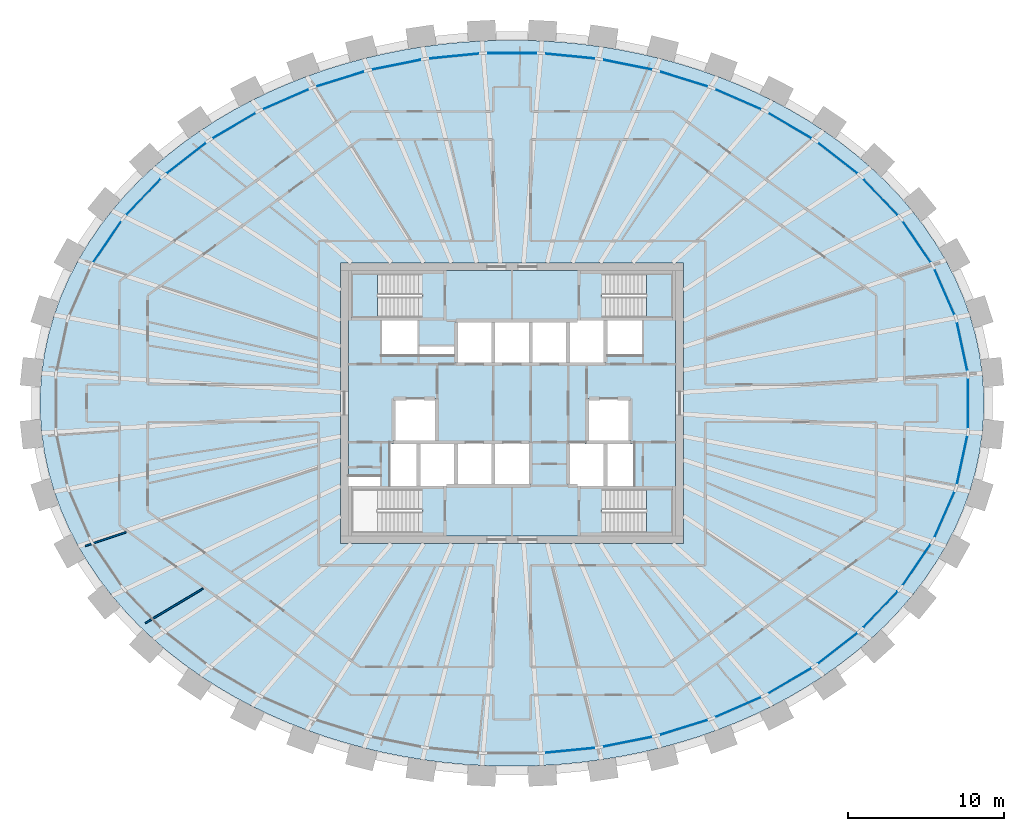
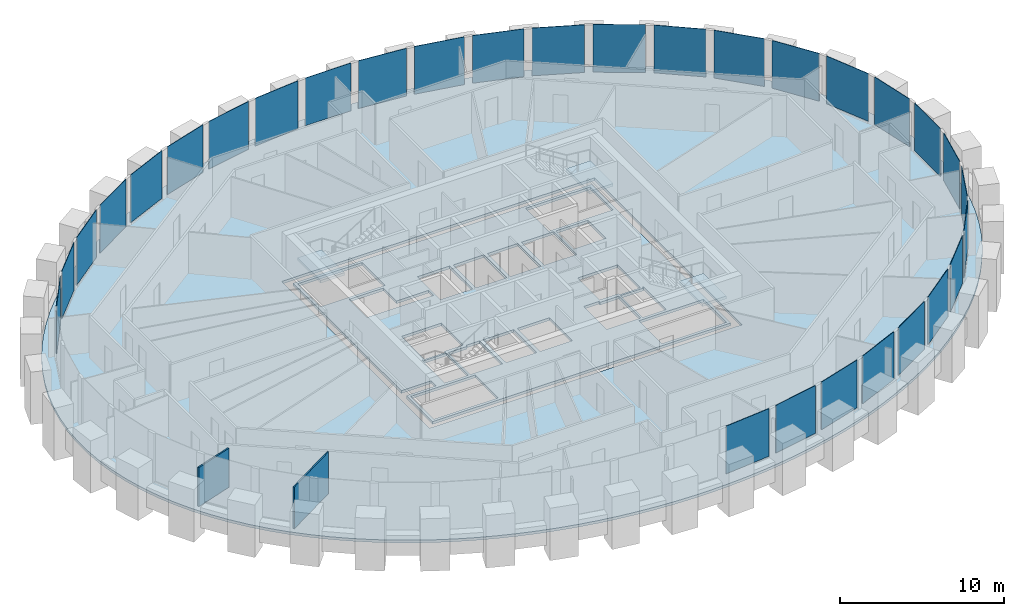
# One storey, part 5 of 12: 30 plates, 5 slabs, 2 walls, 4 elements without a shape of their own.
"""IFC4 building model written with IfcOpenShell, lengths in metres."""

from ifc_helpers import new_model, si_unit, direction, frame, frame_2d, origin, origin_2d, place, context, subcontext, project, spatial, polyline, rectangle, outline, extrude, source, transform, mapped, material, layer, layer_set, type_object, element, aggregate, save


model = new_model("IFC4")

# Units and contexts
model_context = context("Model", 3, precision=1e-05, world=origin(), true_north=direction((0.0, 1.0)))
body_context = subcontext(model_context, "Body", "Model", "MODEL_VIEW")
ifc_project = project(units=[si_unit("LENGTHUNIT", "METRE"), si_unit("AREAUNIT", "SQUARE_METRE"), si_unit("VOLUMEUNIT", "CUBIC_METRE"), si_unit("PLANEANGLEUNIT", "RADIAN"), si_unit("MASSUNIT", "GRAM", prefix="KILO")], contexts=[model_context])

# Site, building, storey
site_placement = place(None, origin())
site = spatial("IfcSite", under=ifc_project, at=site_placement, CompositionType="ELEMENT")
building_placement = place(site_placement, origin())
building = spatial("IfcBuilding", under=site, at=building_placement, Name="Embergate Tower", CompositionType="ELEMENT")
storey_placement = place(building_placement, frame((0.0, 0.0, 301.300048828125)))
storey = spatial("IfcBuildingStorey", under=building, at=storey_placement, Name="L70", CompositionType="ELEMENT", Elevation=301.300048828125)

# Slab
ifc_material_1 = material(Name="Concrete C40", Category="concrete")
ifc_layer_1 = layer(ifc_material_1, 0.199951171875)
ifc_layer_set_1 = layer_set([ifc_layer_1], Name="Concrete C40")
slab_type_1 = type_object("IfcSlabType", Name="Composite floor slab C40 200", PredefinedType="FLOOR", material=ifc_layer_set_1)
shared_shape_1 = source(origin(), body_context, "Body", "SweptSolid", [
    extrude(outline(polyline([(0.0, 0.0), (1.27978515625, 0.0), (2.558837890625, 0.0419921875), (3.8388671875, 0.125), (5.11279296875, 0.2509765625), (6.3779296875, 0.4169921875), (7.64599609375, 0.626953125), (8.90087890625, 0.87890625), (10.140869140625, 1.171875), (11.3837890625, 1.510986328125), (12.60595703125, 1.891845703125), (13.804931640625, 2.31298828125), (15.0068359375, 2.784912109375), (16.178955078125, 3.2978515625), (17.32080078125, 3.850830078125), (18.4619140625, 4.4599609375), (19.56494140625, 5.10791015625), (20.62890625, 5.794921875), (21.684814453125, 6.544921875), (22.69384765625, 7.331787109375), (23.65283203125, 8.15576171875), (24.593994140625, 9.046875), (25.477783203125, 9.972900390625), (26.2998046875, 10.931884765625), (27.0888671875, 11.9599609375), (27.807861328125, 13.017822265625), (28.455810546875, 14.101806640625), (29.0498046875, 15.2509765625), (29.56396484375, 16.4228515625), (29.995849609375, 17.61279296875), (30.352783203125, 18.849853515625), (30.621826171875, 20.099853515625), (30.802001953125, 21.35986328125), (30.893798828125, 22.636962890625), (30.893798828125, 23.914794921875), (30.802001953125, 25.19189453125), (30.621826171875, 26.451904296875), (30.352783203125, 27.701904296875), (29.995849609375, 28.93896484375), (29.56396484375, 30.12890625), (29.0498046875, 31.30078125), (28.455810546875, 32.449951171875), (27.807861328125, 33.533935546875), (27.0888671875, 34.591796875), (26.2998046875, 35.619873046875), (25.477783203125, 36.578857421875), (24.593994140625, 37.5048828125), (23.65283203125, 38.39599609375), (22.69384765625, 39.219970703125), (21.684814453125, 40.0068359375), (20.62890625, 40.7568359375), (19.56494140625, 41.44384765625), (18.4619140625, 42.091796875), (17.32080078125, 42.700927734375), (16.178955078125, 43.25390625), (15.0068359375, 43.766845703125), (13.804931640625, 44.23876953125), (12.60595703125, 44.659912109375), (11.3837890625, 45.040771484375), (10.140869140625, 45.3798828125), (8.90087890625, 45.6728515625), (7.64599609375, 45.9248046875), (6.3779296875, 46.134765625), (5.11279296875, 46.30078125), (3.8388671875, 46.4267578125), (2.558837890625, 46.509765625), (1.27978515625, 46.5517578125), (0.0, 46.5517578125), (-1.279052734375, 46.509765625), (-2.55908203125, 46.4267578125), (-3.8330078125, 46.30078125), (-5.09814453125, 46.134765625), (-6.3662109375, 45.9248046875), (-7.62109375, 45.6728515625), (-8.861083984375, 45.3798828125), (-10.10400390625, 45.040771484375), (-11.326171875, 44.659912109375), (-12.525146484375, 44.23876953125), (-13.72705078125, 43.766845703125), (-14.899169921875, 43.25390625), (-16.041015625, 42.700927734375), (-17.18212890625, 42.091796875), (-18.28515625, 41.44384765625), (-19.34912109375, 40.7568359375), (-20.405029296875, 40.0068359375), (-21.4140625, 39.219970703125), (-22.373046875, 38.39599609375), (-23.314208984375, 37.5048828125), (-24.197998046875, 36.578857421875), (-25.02001953125, 35.619873046875), (-25.80908203125, 34.591796875), (-26.528076171875, 33.533935546875), (-27.176025390625, 32.449951171875), (-27.77001953125, 31.30078125), (-28.2841796875, 30.12890625), (-28.716064453125, 28.93896484375), (-29.072998046875, 27.701904296875), (-29.342041015625, 26.451904296875), (-29.522216796875, 25.19189453125), (-29.614013671875, 23.914794921875), (-29.614013671875, 22.636962890625), (-29.522216796875, 21.35986328125), (-29.342041015625, 20.099853515625), (-29.072998046875, 18.849853515625), (-28.716064453125, 17.61279296875), (-28.2841796875, 16.4228515625), (-27.77001953125, 15.2509765625), (-27.176025390625, 14.101806640625), (-26.528076171875, 13.017822265625), (-25.80908203125, 11.9599609375), (-25.02001953125, 10.931884765625), (-24.197998046875, 9.972900390625), (-23.314208984375, 9.046875), (-22.373046875, 8.15576171875), (-21.4140625, 7.331787109375), (-20.405029296875, 6.544921875), (-19.34912109375, 5.794921875), (-18.28515625, 5.10791015625), (-17.18212890625, 4.4599609375), (-16.041015625, 3.850830078125), (-14.899169921875, 3.2978515625), (-13.72705078125, 2.784912109375), (-12.525146484375, 2.31298828125), (-11.326171875, 1.891845703125), (-10.10400390625, 1.510986328125), (-8.861083984375, 1.171875), (-7.62109375, 0.87890625), (-6.3662109375, 0.626953125), (-5.09814453125, 0.4169921875), (-3.8330078125, 0.2509765625), (-2.55908203125, 0.125), (-1.279052734375, 0.0419921875), (0.0, 0.0)]), holes=[polyline([(-10.360107421875, 14.27587890625), (-10.360107421875, 32.27587890625), (11.639892578125, 32.27587890625), (11.639892578125, 14.27587890625), (-10.360107421875, 14.27587890625)])]), origin(), (0.0, 0.0, 1.0), 0.199951171875),
])
slab_1_placement = place(storey_placement, frame((-0.639892578125, -23.27587890625, -0.199951171875)))
element("IfcSlab", 1, at=slab_1_placement, inside=storey, type_object=slab_type_1, Name="SLB-L70-00", PredefinedType="FLOOR", context=body_context, shape_type="MappedRepresentation", body=[
    mapped(shared_shape_1, transform((0.0, 0.0, 0.0))),
])

# Curtain wall, plates
ifc_material_2 = material(Name="Aluminium and glass", Category="aluminium")
curtain_wall_type = type_object("IfcCurtainWallType", Name="Recessed office glazing", PredefinedType="NOTDEFINED", material=ifc_material_2)
curtain_wall_placement = place(storey_placement, origin())
curtain_wall = element("IfcCurtainWall", 2, at=curtain_wall_placement, inside=storey, type_object=curtain_wall_type, Name="Recessed office glazing ring", ObjectType="RECESSED OFFICE GLAZING", PredefinedType="USERDEFINED")
ifc_material_3 = material(Name="Triple glazing, low-emissivity coating", Category="glass")
ifc_layer_2 = layer(ifc_material_3, 0.035888671875)
ifc_layer_set_2 = layer_set([ifc_layer_2], Name="Triple glazing, low-emissivity coating")
plate_type = type_object("IfcPlateType", Name="Office glazing unit", PredefinedType="CURTAIN_PANEL", material=ifc_layer_set_2)
shared_shape_2 = source(origin(), body_context, "Body", "SweptSolid", [
    extrude(rectangle(XDim=3.1650390625, YDim=0.035888671875, at=origin_2d()), origin(), (0.0, 0.0, 1.0), 3.550048828125),
])
plate_1_placement = place(storey_placement, frame((28.86474609375, 3.642578125, 0.14990234375), z_axis=(0.0, 0.0, 1.0), x_axis=(-0.210398391177, 0.97761573074, 0.0)))
plate_1 = element("IfcPlate", 3, at=plate_1_placement, type_object=plate_type, Name="CW panel 1.1", PredefinedType="CURTAIN_PANEL", context=body_context, shape_type="MappedRepresentation", body=[
    mapped(shared_shape_2, transform((0.0, 0.0, 0.0))),
])
plate_2_placement = place(storey_placement, frame((28.86474609375, -3.642578125, 0.14990234375), z_axis=(0.0, 0.0, 1.0), x_axis=(0.210398391177, 0.97761573074, 0.0)))
plate_2 = element("IfcPlate", 4, at=plate_2_placement, type_object=plate_type, Name="CW panel 43.1", PredefinedType="CURTAIN_PANEL", context=body_context, shape_type="MappedRepresentation", body=[
    mapped(shared_shape_2, transform((0.0, 0.0, 0.0))),
])
shared_shape_3 = source(origin(), body_context, "Body", "SweptSolid", [
    extrude(rectangle(XDim=3.171875, YDim=0.035888671875, at=origin_2d()), origin(), (0.0, 0.0, 1.0), 3.550048828125),
])
plate_3_placement = place(storey_placement, frame((27.735595703125, 7.134521484375, 0.14990234375), z_axis=(0.0, 0.0, 1.0), x_axis=(-0.401652101157, 0.91579232888, 0.0)))
plate_3 = element("IfcPlate", 5, at=plate_3_placement, type_object=plate_type, Name="CW panel 2.1", PredefinedType="CURTAIN_PANEL", context=body_context, shape_type="MappedRepresentation", body=[
    mapped(shared_shape_3, transform((0.0, 0.0, 0.0))),
])
plate_4_placement = place(storey_placement, frame((27.735595703125, -7.134521484375, 0.14990234375), z_axis=(0.0, 0.0, 1.0), x_axis=(0.401652101157, 0.91579232888, 0.0)))
plate_4 = element("IfcPlate", 6, at=plate_4_placement, type_object=plate_type, Name="CW panel 42.1", PredefinedType="CURTAIN_PANEL", context=body_context, shape_type="MappedRepresentation", body=[
    mapped(shared_shape_3, transform((0.0, 0.0, 0.0))),
])
shared_shape_4 = source(origin(), body_context, "Body", "SweptSolid", [
    extrude(rectangle(XDim=3.180419921875, YDim=0.035888671875, at=origin_2d()), origin(), (0.0, 0.0, 1.0), 3.550048828125),
])
plate_5_placement = place(storey_placement, frame((25.95361328125, 10.354736328125, 0.14990234375), z_axis=(0.0, 0.0, 1.0), x_axis=(-0.562341741915, 0.826904931234, 0.0)))
plate_5 = element("IfcPlate", 7, at=plate_5_placement, type_object=plate_type, Name="CW panel 3.1", PredefinedType="CURTAIN_PANEL", context=body_context, shape_type="MappedRepresentation", body=[
    mapped(shared_shape_4, transform((0.0, 0.0, 0.0))),
])
plate_6_placement = place(storey_placement, frame((-25.95361328125, 10.354736328125, 0.14990234375), z_axis=(0.0, 0.0, 1.0), x_axis=(-0.562341741915, -0.826904931234, 0.0)))
plate_6 = element("IfcPlate", 8, at=plate_6_placement, type_object=plate_type, Name="CW panel 19.1", PredefinedType="CURTAIN_PANEL", context=body_context, shape_type="MappedRepresentation", body=[
    mapped(shared_shape_4, transform((0.0, 0.0, 0.0))),
])
plate_7_placement = place(storey_placement, frame((25.95361328125, -10.354736328125, 0.14990234375), z_axis=(0.0, 0.0, 1.0), x_axis=(0.562341741915, 0.826904931234, 0.0)))
plate_7 = element("IfcPlate", 9, at=plate_7_placement, type_object=plate_type, Name="CW panel 41.1", PredefinedType="CURTAIN_PANEL", context=body_context, shape_type="MappedRepresentation", body=[
    mapped(shared_shape_4, transform((0.0, 0.0, 0.0))),
])
shared_shape_5 = source(origin(), body_context, "Body", "SweptSolid", [
    extrude(rectangle(XDim=3.188720703125, YDim=0.035888671875, at=origin_2d()), origin(), (0.0, 0.0, 1.0), 3.550048828125),
])
plate_8_placement = place(storey_placement, frame((23.633544921875, 13.226806640625, 0.14990234375), z_axis=(0.0, 0.0, 1.0), x_axis=(-0.6901325214, 0.723683012724, 0.0)))
plate_8 = element("IfcPlate", 10, at=plate_8_placement, type_object=plate_type, Name="CW panel 4.1", PredefinedType="CURTAIN_PANEL", context=body_context, shape_type="MappedRepresentation", body=[
    mapped(shared_shape_5, transform((0.0, 0.0, 0.0))),
])
plate_9_placement = place(storey_placement, frame((-23.633544921875, 13.226806640625, 0.14990234375), z_axis=(0.0, 0.0, 1.0), x_axis=(-0.6901325214, -0.723683012724, 0.0)))
plate_9 = element("IfcPlate", 11, at=plate_9_placement, type_object=plate_type, Name="CW panel 18.1", PredefinedType="CURTAIN_PANEL", context=body_context, shape_type="MappedRepresentation", body=[
    mapped(shared_shape_5, transform((0.0, 0.0, 0.0))),
])
plate_10_placement = place(storey_placement, frame((23.633544921875, -13.226806640625, 0.14990234375), z_axis=(0.0, 0.0, 1.0), x_axis=(0.6901325214, 0.723683012724, 0.0)))
plate_10 = element("IfcPlate", 12, at=plate_10_placement, type_object=plate_type, Name="CW panel 40.1", PredefinedType="CURTAIN_PANEL", context=body_context, shape_type="MappedRepresentation", body=[
    mapped(shared_shape_5, transform((0.0, 0.0, 0.0))),
])
shared_shape_6 = source(origin(), body_context, "Body", "SweptSolid", [
    extrude(rectangle(XDim=3.196044921875, YDim=0.035888671875, at=origin_2d()), origin(), (0.0, 0.0, 1.0), 3.550048828125),
])
plate_11_placement = place(storey_placement, frame((20.888916015625, 15.7119140625, 0.14990234375), z_axis=(0.0, 0.0, 1.0), x_axis=(-0.788317971569, 0.615268051911, 0.0)))
plate_11 = element("IfcPlate", 13, at=plate_11_placement, type_object=plate_type, Name="CW panel 5.1", PredefinedType="CURTAIN_PANEL", context=body_context, shape_type="MappedRepresentation", body=[
    mapped(shared_shape_6, transform((0.0, 0.0, 0.0))),
])
plate_12_placement = place(storey_placement, frame((-20.888916015625, 15.7119140625, 0.14990234375), z_axis=(0.0, 0.0, 1.0), x_axis=(-0.788317971569, -0.615268051911, 0.0)))
plate_12 = element("IfcPlate", 14, at=plate_12_placement, type_object=plate_type, Name="CW panel 17.1", PredefinedType="CURTAIN_PANEL", context=body_context, shape_type="MappedRepresentation", body=[
    mapped(shared_shape_6, transform((0.0, 0.0, 0.0))),
])
plate_13_placement = place(storey_placement, frame((20.888916015625, -15.7119140625, 0.14990234375), z_axis=(0.0, 0.0, 1.0), x_axis=(0.788317971569, 0.615268051911, 0.0)))
plate_13 = element("IfcPlate", 15, at=plate_13_placement, type_object=plate_type, Name="CW panel 39.1", PredefinedType="CURTAIN_PANEL", context=body_context, shape_type="MappedRepresentation", body=[
    mapped(shared_shape_6, transform((0.0, 0.0, 0.0))),
])
shared_shape_7 = source(origin(), body_context, "Body", "SweptSolid", [
    extrude(rectangle(XDim=3.201904296875, YDim=0.035888671875, at=origin_2d()), origin(), (0.0, 0.0, 1.0), 3.550048828125),
])
plate_14_placement = place(storey_placement, frame((17.820068359375, 17.79833984375, 0.14990234375), z_axis=(0.0, 0.0, 1.0), x_axis=(-0.862050514108, 0.506822366443, 0.0)))
plate_14 = element("IfcPlate", 16, at=plate_14_placement, type_object=plate_type, Name="CW panel 6.1", PredefinedType="CURTAIN_PANEL", context=body_context, shape_type="MappedRepresentation", body=[
    mapped(shared_shape_7, transform((0.0, 0.0, 0.0))),
])
plate_15_placement = place(storey_placement, frame((-17.820068359375, 17.79833984375, 0.14990234375), z_axis=(0.0, 0.0, 1.0), x_axis=(-0.862050514108, -0.506822366443, 0.0)))
plate_15 = element("IfcPlate", 17, at=plate_15_placement, type_object=plate_type, Name="CW panel 16.1", PredefinedType="CURTAIN_PANEL", context=body_context, shape_type="MappedRepresentation", body=[
    mapped(shared_shape_7, transform((0.0, 0.0, 0.0))),
])
plate_16_placement = place(storey_placement, frame((17.820068359375, -17.79833984375, 0.14990234375), z_axis=(0.0, 0.0, 1.0), x_axis=(0.862050514108, 0.506822366443, 0.0)))
plate_16 = element("IfcPlate", 18, at=plate_16_placement, type_object=plate_type, Name="CW panel 38.1", PredefinedType="CURTAIN_PANEL", context=body_context, shape_type="MappedRepresentation", body=[
    mapped(shared_shape_7, transform((0.0, 0.0, 0.0))),
])
shared_shape_8 = source(origin(), body_context, "Body", "SweptSolid", [
    extrude(rectangle(XDim=3.206298828125, YDim=0.035888671875, at=origin_2d()), origin(), (0.0, 0.0, 1.0), 3.550048828125),
])
plate_17_placement = place(storey_placement, frame((14.508544921875, 19.488037109375, 0.14990234375), z_axis=(0.0, 0.0, 1.0), x_axis=(-0.91623411399, 0.400643293168, 0.0)))
plate_17 = element("IfcPlate", 19, at=plate_17_placement, type_object=plate_type, Name="CW panel 7.1", PredefinedType="CURTAIN_PANEL", context=body_context, shape_type="MappedRepresentation", body=[
    mapped(shared_shape_8, transform((0.0, 0.0, 0.0))),
])
plate_18_placement = place(storey_placement, frame((-14.508544921875, 19.488037109375, 0.14990234375), z_axis=(0.0, 0.0, 1.0), x_axis=(-0.91623411399, -0.400643293168, 0.0)))
plate_18 = element("IfcPlate", 20, at=plate_18_placement, type_object=plate_type, Name="CW panel 15.1", PredefinedType="CURTAIN_PANEL", context=body_context, shape_type="MappedRepresentation", body=[
    mapped(shared_shape_8, transform((0.0, 0.0, 0.0))),
])
plate_19_placement = place(storey_placement, frame((14.508544921875, -19.488037109375, 0.14990234375), z_axis=(0.0, 0.0, 1.0), x_axis=(0.91623411399, 0.400643293168, 0.0)))
plate_19 = element("IfcPlate", 21, at=plate_19_placement, type_object=plate_type, Name="CW panel 37.1", PredefinedType="CURTAIN_PANEL", context=body_context, shape_type="MappedRepresentation", body=[
    mapped(shared_shape_8, transform((0.0, 0.0, 0.0))),
])
shared_shape_9 = source(origin(), body_context, "Body", "SweptSolid", [
    extrude(rectangle(XDim=3.209716796875, YDim=0.035888671875, at=origin_2d()), origin(), (0.0, 0.0, 1.0), 3.550048828125),
])
plate_20_placement = place(storey_placement, frame((11.02099609375, 20.788818359375, 0.14990234375), z_axis=(0.0, 0.0, 1.0), x_axis=(-0.954771179262, 0.297341546458, 0.0)))
plate_20 = element("IfcPlate", 22, at=plate_20_placement, type_object=plate_type, Name="CW panel 8.1", PredefinedType="CURTAIN_PANEL", context=body_context, shape_type="MappedRepresentation", body=[
    mapped(shared_shape_9, transform((0.0, 0.0, 0.0))),
])
plate_21_placement = place(storey_placement, frame((-11.02099609375, 20.788818359375, 0.14990234375), z_axis=(0.0, 0.0, 1.0), x_axis=(-0.954771179262, -0.297341546458, 0.0)))
plate_21 = element("IfcPlate", 23, at=plate_21_placement, type_object=plate_type, Name="CW panel 14.1", PredefinedType="CURTAIN_PANEL", context=body_context, shape_type="MappedRepresentation", body=[
    mapped(shared_shape_9, transform((0.0, 0.0, 0.0))),
])
plate_22_placement = place(storey_placement, frame((11.02099609375, -20.788818359375, 0.14990234375), z_axis=(0.0, 0.0, 1.0), x_axis=(0.954771179262, 0.297341546458, 0.0)))
plate_22 = element("IfcPlate", 24, at=plate_22_placement, type_object=plate_type, Name="CW panel 36.1", PredefinedType="CURTAIN_PANEL", context=body_context, shape_type="MappedRepresentation", body=[
    mapped(shared_shape_9, transform((0.0, 0.0, 0.0))),
])
shared_shape_10 = source(origin(), body_context, "Body", "SweptSolid", [
    extrude(rectangle(XDim=3.211669921875, YDim=0.035888671875, at=origin_2d()), origin(), (0.0, 0.0, 1.0), 3.550048828125),
])
plate_23_placement = place(storey_placement, frame((7.4111328125, 21.710205078125, 0.14990234375), z_axis=(0.0, 0.0, 1.0), x_axis=(-0.980475221003, 0.196642673395, 0.0)))
plate_23 = element("IfcPlate", 25, at=plate_23_placement, type_object=plate_type, Name="CW panel 9.1", PredefinedType="CURTAIN_PANEL", context=body_context, shape_type="MappedRepresentation", body=[
    mapped(shared_shape_10, transform((0.0, 0.0, 0.0))),
])
plate_24_placement = place(storey_placement, frame((-7.4111328125, 21.710205078125, 0.14990234375), z_axis=(0.0, 0.0, 1.0), x_axis=(-0.980475221003, -0.196642673395, 0.0)))
plate_24 = element("IfcPlate", 26, at=plate_24_placement, type_object=plate_type, Name="CW panel 13.1", PredefinedType="CURTAIN_PANEL", context=body_context, shape_type="MappedRepresentation", body=[
    mapped(shared_shape_10, transform((0.0, 0.0, 0.0))),
])
plate_25_placement = place(storey_placement, frame((7.4111328125, -21.710205078125, 0.14990234375), z_axis=(0.0, 0.0, 1.0), x_axis=(0.980475221003, 0.196642673395, 0.0)))
plate_25 = element("IfcPlate", 27, at=plate_25_placement, type_object=plate_type, Name="CW panel 35.1", PredefinedType="CURTAIN_PANEL", context=body_context, shape_type="MappedRepresentation", body=[
    mapped(shared_shape_10, transform((0.0, 0.0, 0.0))),
])
shared_shape_11 = source(origin(), body_context, "Body", "SweptSolid", [
    extrude(rectangle(XDim=3.212890625, YDim=0.035888671875, at=origin_2d()), origin(), (0.0, 0.0, 1.0), 3.550048828125),
])
plate_26_placement = place(storey_placement, frame((3.72412109375, 22.259765625, 0.14990234375), z_axis=(0.0, 0.0, 1.0), x_axis=(-0.995203014042, 0.097831287645, 0.0)))
plate_26 = element("IfcPlate", 28, at=plate_26_placement, type_object=plate_type, Name="CW panel 10.1", PredefinedType="CURTAIN_PANEL", context=body_context, shape_type="MappedRepresentation", body=[
    mapped(shared_shape_11, transform((0.0, 0.0, 0.0))),
])
plate_27_placement = place(storey_placement, frame((-3.72412109375, 22.259765625, 0.14990234375), z_axis=(0.0, 0.0, 1.0), x_axis=(-0.995203014042, -0.097831287645, 0.0)))
plate_27 = element("IfcPlate", 29, at=plate_27_placement, type_object=plate_type, Name="CW panel 12.1", PredefinedType="CURTAIN_PANEL", context=body_context, shape_type="MappedRepresentation", body=[
    mapped(shared_shape_11, transform((0.0, 0.0, 0.0))),
])
plate_28_placement = place(storey_placement, frame((3.72412109375, -22.259765625, 0.14990234375), z_axis=(0.0, 0.0, 1.0), x_axis=(0.995203014042, 0.097831287645, 0.0)))
plate_28 = element("IfcPlate", 30, at=plate_28_placement, type_object=plate_type, Name="CW panel 34.1", PredefinedType="CURTAIN_PANEL", context=body_context, shape_type="MappedRepresentation", body=[
    mapped(shared_shape_11, transform((0.0, 0.0, 0.0))),
])
shared_shape_12 = source(origin(), body_context, "Body", "SweptSolid", [
    extrude(rectangle(XDim=3.21337890625, YDim=0.035888671875, at=origin_2d()), origin(), (0.0, 0.0, 1.0), 3.550048828125),
])
plate_29_placement = place(storey_placement, frame((0.0, 22.4423828125, 0.14990234375), z_axis=(0.0, 0.0, 1.0), x_axis=(-1.0, 0.0, 0.0)))
plate_29 = element("IfcPlate", 31, at=plate_29_placement, type_object=plate_type, Name="CW panel 11.1", PredefinedType="CURTAIN_PANEL", context=body_context, shape_type="MappedRepresentation", body=[
    mapped(shared_shape_12, transform((0.0, 0.0, 0.0))),
])
shared_shape_13 = source(origin(), body_context, "Body", "SweptSolid", [
    extrude(rectangle(XDim=3.16259765625, YDim=0.035888671875, at=origin_2d()), origin(), (0.0, 0.0, 1.0), 3.550048828125),
])
plate_30_placement = place(storey_placement, frame((29.252197265625, 0.0, 0.14990234375), z_axis=(0.0, 0.0, 1.0), x_axis=(0.0, 1.0, 0.0)))
plate_30 = element("IfcPlate", 32, at=plate_30_placement, type_object=plate_type, Name="CW panel 44.1", PredefinedType="CURTAIN_PANEL", context=body_context, shape_type="MappedRepresentation", body=[
    mapped(shared_shape_13, transform((0.0, 0.0, 0.0))),
])
aggregate(curtain_wall, [plate_1, plate_3, plate_5, plate_8, plate_11, plate_14, plate_17, plate_20, plate_23, plate_26, plate_29, plate_27, plate_24, plate_21, plate_18, plate_15, plate_12, plate_9, plate_6, plate_28, plate_25, plate_22, plate_19, plate_16, plate_13, plate_10, plate_7, plate_4, plate_2, plate_30])

# Stair, slab
ifc_material_4 = material(Name="Exit stair")
stair_type = type_object("IfcStairType", Name="Exit stair", PredefinedType="HALF_TURN_STAIR", material=ifc_material_4)
stair_1_placement = place(storey_placement, origin())
stair_1 = element("IfcStair", 33, at=stair_1_placement, inside=storey, type_object=stair_type, Name="L70 Exit stair 1", PredefinedType="HALF_TURN_STAIR")
ifc_layer_3 = layer(ifc_material_1, 0.199951171875)
ifc_layer_set_3 = layer_set([ifc_layer_3], Name="Concrete C40")
slab_type_2 = type_object("IfcSlabType", Name="Stair landing reinforced concrete", PredefinedType="LANDING", material=ifc_layer_set_3)
shared_shape_14 = source(origin(), body_context, "Body", "SweptSolid", [
    extrude(outline(polyline([(0.0, 0.0), (1.68994140625, 0.0), (1.68994140625, 2.800048828125), (0.0, 2.800048828125), (0.0, 0.0)])), origin(), (0.0, 0.0, 1.0), 0.199951171875),
])
slab_2_placement = place(storey_placement, frame((-10.300048828125, 5.5, 1.75)))
slab_2 = element("IfcSlab", 34, at=slab_2_placement, type_object=slab_type_2, Name="ST1 landing 1", PredefinedType="LANDING", context=body_context, shape_type="MappedRepresentation", body=[
    mapped(shared_shape_14, transform((0.0, 0.0, 0.0))),
])
aggregate(stair_1, [slab_2])

stair_2_placement = place(storey_placement, origin())
stair_2 = element("IfcStair", 35, at=stair_2_placement, inside=storey, type_object=stair_type, Name="L70 Exit stair 2", PredefinedType="HALF_TURN_STAIR")
slab_3_placement = place(storey_placement, frame((8.610107421875, 5.5, 1.75)))
slab_3 = element("IfcSlab", 36, at=slab_3_placement, type_object=slab_type_2, Name="ST2 landing 1", PredefinedType="LANDING", context=body_context, shape_type="MappedRepresentation", body=[
    mapped(shared_shape_14, transform((0.0, 0.0, 0.0))),
])
aggregate(stair_2, [slab_3])

stair_3_placement = place(storey_placement, origin())
stair_3 = element("IfcStair", 37, at=stair_3_placement, inside=storey, type_object=stair_type, Name="L70 Exit stair 4", PredefinedType="HALF_TURN_STAIR")
slab_4_placement = place(storey_placement, frame((8.610107421875, -8.300048828125, 1.75)))
slab_4 = element("IfcSlab", 38, at=slab_4_placement, type_object=slab_type_2, Name="ST4 landing 1", PredefinedType="LANDING", context=body_context, shape_type="MappedRepresentation", body=[
    mapped(shared_shape_14, transform((0.0, 0.0, 0.0))),
])
aggregate(stair_3, [slab_4])

# Slab
ifc_layer_4 = layer(ifc_material_1, 0.199951171875)
ifc_layer_set_4 = layer_set([ifc_layer_4], Name="Concrete C40")
slab_type_3 = type_object("IfcSlabType", Name="Core floor slab 200 reinforced concrete", PredefinedType="FLOOR", material=ifc_layer_set_4)
shared_shape_15 = source(origin(), body_context, "Body", "SweptSolid", [
    extrude(outline(polyline([(0.0, 0.0), (21.0, 0.0), (21.0, 17.0), (0.0, 17.0), (0.0, 3.803955078125), (2.10009765625, 3.803955078125), (2.10009765625, 3.199951171875), (0.0, 3.199951171875), (0.0, 0.0)]), holes=[polyline([(0.199951171875, 0.199951171875), (0.199951171875, 3.0), (4.739990234375, 3.0), (4.739990234375, 0.199951171875), (0.199951171875, 0.199951171875)]), polyline([(16.260009765625, 0.199951171875), (16.260009765625, 3.0), (20.800048828125, 3.0), (20.800048828125, 0.199951171875), (16.260009765625, 0.199951171875)]), polyline([(2.699951171875, 3.199951171875), (2.699951171875, 6.0), (2.77490234375, 6.0), (2.77490234375, 5.875), (4.375, 5.875), (4.375, 3.199951171875), (2.699951171875, 3.199951171875)]), polyline([(4.5, 3.199951171875), (4.5, 5.875), (5.824951171875, 5.875), (5.824951171875, 6.0), (6.77490234375, 6.0), (6.77490234375, 3.199951171875), (4.5, 3.199951171875)]), polyline([(7.02490234375, 3.199951171875), (7.02490234375, 6.0), (9.175048828125, 6.0), (9.175048828125, 3.199951171875), (7.02490234375, 3.199951171875)]), polyline([(9.425048828125, 3.199951171875), (9.425048828125, 6.0), (11.699951171875, 6.0), (11.699951171875, 3.199951171875), (9.425048828125, 3.199951171875)]), polyline([(14.10009765625, 3.199951171875), (14.10009765625, 6.0), (15.175048828125, 6.0), (15.175048828125, 5.875), (16.5, 5.875), (16.5, 3.199951171875), (14.10009765625, 3.199951171875)]), polyline([(16.625, 3.199951171875), (16.625, 5.875), (18.22509765625, 5.875), (18.22509765625, 6.0), (18.300048828125, 6.0), (18.300048828125, 3.199951171875), (16.625, 3.199951171875)]), polyline([(2.89990234375, 6.0), (2.89990234375, 8.800048828125), (5.699951171875, 8.800048828125), (5.699951171875, 6.125), (4.375, 6.125), (4.375, 6.0), (2.89990234375, 6.0)]), polyline([(16.625, 6.0), (16.625, 6.125), (15.300048828125, 6.125), (15.300048828125, 8.800048828125), (18.10009765625, 8.800048828125), (18.10009765625, 6.0), (16.625, 6.0)]), polyline([(6.89990234375, 11.0), (6.89990234375, 13.800048828125), (9.175048828125, 13.800048828125), (9.175048828125, 11.0), (6.89990234375, 11.0)]), polyline([(9.425048828125, 11.0), (9.425048828125, 13.800048828125), (11.574951171875, 13.800048828125), (11.574951171875, 11.0), (9.425048828125, 11.0)]), polyline([(11.824951171875, 11.0), (11.824951171875, 13.800048828125), (13.97509765625, 13.800048828125), (13.97509765625, 11.0), (11.824951171875, 11.0)]), polyline([(14.22509765625, 11.0), (14.22509765625, 13.800048828125), (16.5, 13.800048828125), (16.5, 11.0), (14.22509765625, 11.0)]), polyline([(2.10009765625, 11.60009765625), (2.10009765625, 13.800048828125), (4.5, 13.800048828125), (4.5, 12.2041015625), (6.77490234375, 12.2041015625), (6.77490234375, 11.60009765625), (4.5, 11.60009765625), (2.10009765625, 11.60009765625)]), polyline([(16.625, 11.60009765625), (16.625, 13.800048828125), (18.89990234375, 13.800048828125), (18.89990234375, 11.60009765625), (16.625, 11.60009765625)]), polyline([(0.199951171875, 14.0), (0.199951171875, 16.800048828125), (4.739990234375, 16.800048828125), (4.739990234375, 14.0), (0.199951171875, 14.0)]), polyline([(16.260009765625, 14.0), (16.260009765625, 16.800048828125), (20.800048828125, 16.800048828125), (20.800048828125, 14.0), (16.260009765625, 14.0)])]), origin(), (0.0, 0.0, 1.0), 0.199951171875),
])
slab_5_placement = place(storey_placement, frame((-10.5, -8.5, -0.199951171875)))
element("IfcSlab", 39, at=slab_5_placement, inside=storey, type_object=slab_type_3, Name="Core floor slab", PredefinedType="FLOOR", context=body_context, shape_type="MappedRepresentation", body=[
    mapped(shared_shape_15, transform((0.0, 0.0, 0.0))),
])

# Walls
ifc_material_5 = material(Name="Partition dry-lined 100")
ifc_layer_5 = layer(ifc_material_5, 0.10009765625)
ifc_layer_set_5 = layer_set([ifc_layer_5], Name="Partition dry-lined 100")
wall_type = type_object("IfcWallType", Name="Partition dry-lined 100", PredefinedType="PARTITIONING", material=ifc_layer_set_5)
shared_shape_16 = source(origin(), body_context, "Body", "SweptSolid", [
    extrude(rectangle(XDim=2.763671875, YDim=0.10009765625, at=frame_2d((1.3818359375, 0.0))), origin(), (0.0, 0.0, 1.0), 2.89990234375),
])
wall_1_placement = place(storey_placement, frame((-24.743896484375, -8.27294921875, 0.0), z_axis=(0.0, 0.0, 1.0), x_axis=(-0.948435651282, -0.316969738897, 0.0)))
element("IfcWall", 40, at=wall_1_placement, inside=storey, type_object=wall_type, Name="IP-1 wall", PredefinedType="PARTITIONING", context=body_context, shape_type="MappedRepresentation", body=[
    mapped(shared_shape_16, transform((0.0, 0.0, 0.0))),
])
shared_shape_17 = source(origin(), body_context, "Body", "SweptSolid", [
    extrude(rectangle(XDim=4.312255859375, YDim=0.10009765625, at=frame_2d((2.15625, 0.0))), origin(), (0.0, 0.0, 1.0), 3.099853515625),
])
wall_2_placement = place(storey_placement, frame((-19.81005859375, -11.883056640625, 0.0), z_axis=(0.0, 0.0, 1.0), x_axis=(-0.857572844795, -0.514362533502, 0.0)))
element("IfcWall", 41, at=wall_2_placement, inside=storey, type_object=wall_type, Name="IP-1 wall", PredefinedType="PARTITIONING", context=body_context, shape_type="MappedRepresentation", body=[
    mapped(shared_shape_17, transform((0.0, 0.0, 0.0))),
])

save(model, "model.ifc")
